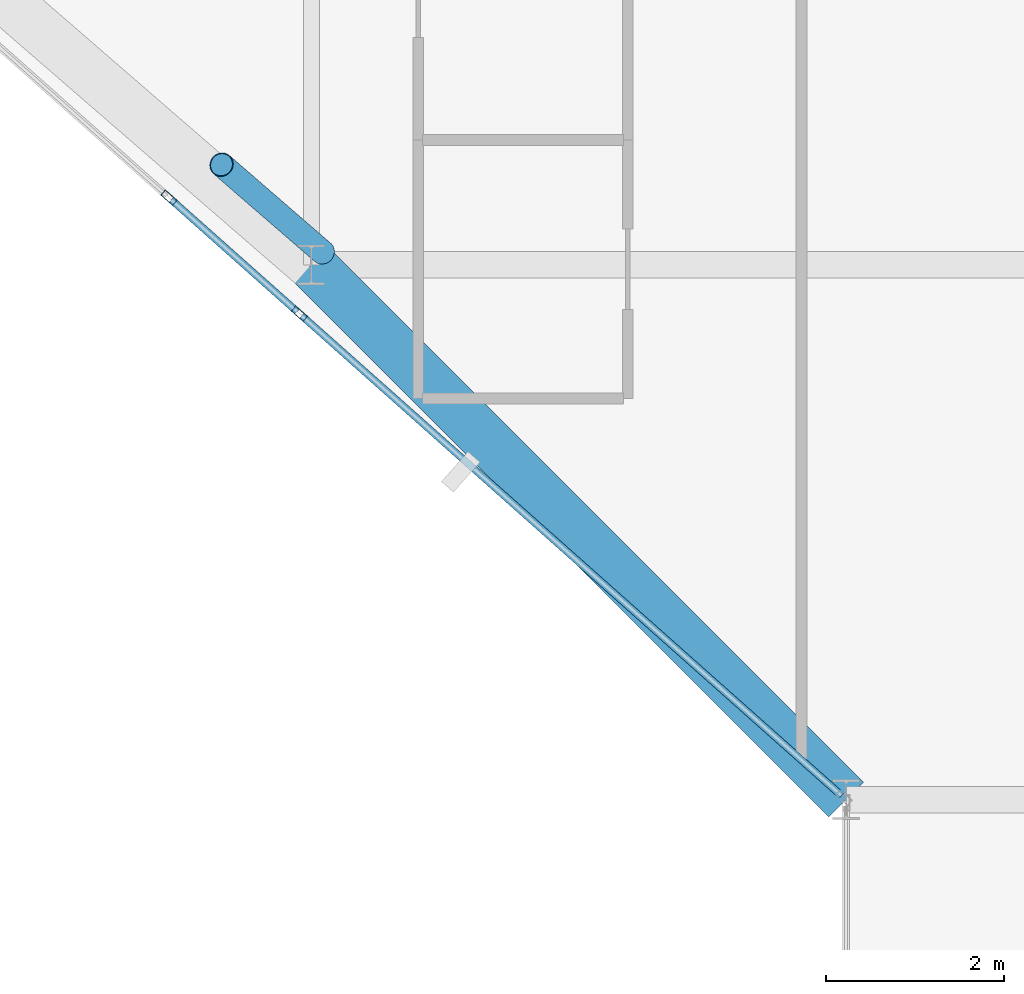
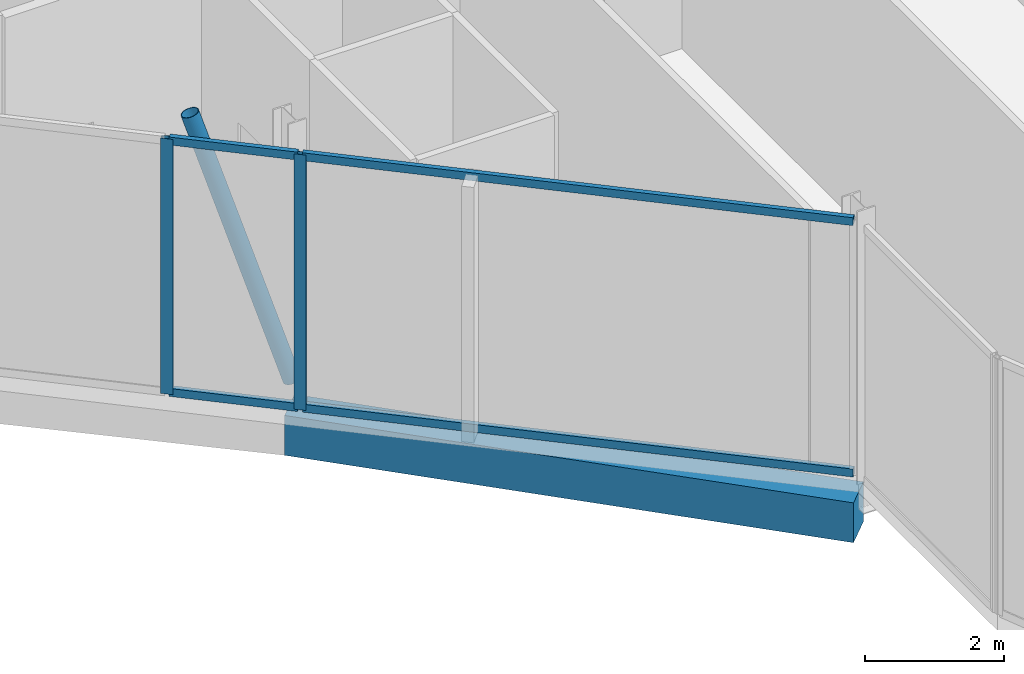
# One storey, part 4 of 29: 7 members, 1 beam, 2 elements without a shape of their own.
"""IFC4 building model written with IfcOpenShell, lengths in metres."""

from ifc_helpers import new_model, si_unit, direction, frame, origin, origin_2d, place, context, subcontext, project, spatial, rectangle, hollow_rectangle, hollow_circle, extrude, material, layer, layer_set, material_profile, profile_set, type_object, element, aggregate, save


model = new_model("IFC4")

# Units and contexts
model_context = context("Model", 3, precision=1e-05, world=origin(), true_north=direction((0.0, 1.0)))
body_context = subcontext(model_context, "Body", "Model", "MODEL_VIEW")
ifc_project = project(units=[si_unit("LENGTHUNIT", "METRE"), si_unit("AREAUNIT", "SQUARE_METRE"), si_unit("VOLUMEUNIT", "CUBIC_METRE"), si_unit("PLANEANGLEUNIT", "RADIAN"), si_unit("MASSUNIT", "GRAM", prefix="KILO")], contexts=[model_context])

# Site, building, storey
site_placement = place(None, origin())
site = spatial("IfcSite", under=ifc_project, at=site_placement, CompositionType="ELEMENT")
building_placement = place(site_placement, origin())
building = spatial("IfcBuilding", under=site, at=building_placement, Name="Keshet Zoharim Tower", CompositionType="ELEMENT")
storey_placement = place(building_placement, frame((0.0, 0.0, 218.0)))
storey = spatial("IfcBuildingStorey", under=building, at=storey_placement, Name="L54", CompositionType="ELEMENT", Elevation=218.0)

# Beam
ifc_material_1 = material(Name="Concrete C50/60", Category="concrete")
ifc_material_profile_1 = material_profile(ifc_material_1, rectangle(XDim=0.550048828125, YDim=0.699951171875, at=origin_2d()), Name="RC700x550")
ifc_profile_set_1 = profile_set([ifc_material_profile_1], Name="Concrete C50/60")
beam_type = type_object("IfcBeamType", Name="BM-SPN-700", PredefinedType="SPANDREL", material=ifc_profile_set_1)
beam_placement = place(storey_placement, frame((21.0, 6.699951171875, -0.669921875), z_axis=(-0.707106781187, 0.707106781187, 0.0), x_axis=(-0.707106781187, -0.707106781187, 0.0)))
element("IfcBeam", 1, at=beam_placement, inside=storey, type_object=beam_type, Name="L54 Perimeter Spandrel Beam 01", PredefinedType="SPANDREL", context=body_context, shape_type="SweptSolid", body=[
    extrude(rectangle(XDim=0.550048828125, YDim=0.699951171875, at=origin_2d()), origin(), (0.0, 0.0, 1.0), 8.4853515625),
])

# Curtain wall, member
ifc_material_2 = material(Name="Aluminium 6063-T6", Category="aluminium")
ifc_layer = layer(ifc_material_2, 0.14990234375)
ifc_layer_set = layer_set([ifc_layer], Name="Aluminium 6063-T6")
curtain_wall_type = type_object("IfcCurtainWallType", Name="CW-SYS-04", PredefinedType="NOTDEFINED", material=ifc_layer_set)
curtain_wall_1_placement = place(storey_placement, origin())
curtain_wall_1 = element("IfcCurtainWall", 2, at=curtain_wall_1_placement, inside=storey, type_object=curtain_wall_type, Name="L54 Unitised Curtain Wall 10", PredefinedType="NOTDEFINED")
ifc_material_profile_2 = material_profile(ifc_material_2, hollow_rectangle(XDim=0.080078125, YDim=0.179931640625, WallThickness=0.00439453125, at=origin_2d()), Name="MUL-80x180")
ifc_profile_set_2 = profile_set([ifc_material_profile_2], Name="Aluminium 6063-T6")
member_type_1 = type_object("IfcMemberType", Name="CWM-M18", PredefinedType="MULLION", material=ifc_profile_set_2)
member_1_placement = place(storey_placement, frame((14.866455078125, 12.15185546875, 0.0), z_axis=(0.0, 0.0, 1.0), x_axis=(-0.664357813677, -0.747414674332, 0.0)))
member_1 = element("IfcMember", 3, at=member_1_placement, type_object=member_type_1, Name="CW-04 mullion 2", PredefinedType="MULLION", context=body_context, shape_type="SweptSolid", body=[
    extrude(hollow_rectangle(XDim=0.080078125, YDim=0.179931640625, WallThickness=0.00439453125, at=origin_2d()), origin(), (0.0, 0.0, 1.0), 4.489990234375),
])

curtain_wall_2_placement = place(storey_placement, origin())
curtain_wall_2 = element("IfcCurtainWall", 4, at=curtain_wall_2_placement, inside=storey, type_object=curtain_wall_type, Name="L54 Unitised Curtain Wall 10 Part 2", PredefinedType="NOTDEFINED")
member_2_placement = place(storey_placement, frame((13.40234375, 13.453369140625, 0.0), z_axis=(0.0, 0.0, 1.0), x_axis=(-0.664386017885, -0.747389603379, 0.0)))
member_2 = element("IfcMember", 5, at=member_2_placement, type_object=member_type_1, Name="CW-04 mullion 2", PredefinedType="MULLION", context=body_context, shape_type="SweptSolid", body=[
    extrude(hollow_rectangle(XDim=0.080078125, YDim=0.179931640625, WallThickness=0.00439453125, at=origin_2d()), origin(), (0.0, 0.0, 1.0), 4.489990234375),
])

# Member
ifc_material_profile_3 = material_profile(ifc_material_2, hollow_rectangle(XDim=0.080078125, YDim=0.139892578125, WallThickness=0.00390625, at=origin_2d()), Name="TRN-80x140")
ifc_profile_set_3 = profile_set([ifc_material_profile_3], Name="Aluminium 6063-T6")
member_type_2 = type_object("IfcMemberType", Name="CWT-T14", PredefinedType="USERDEFINED", material=ifc_profile_set_3)
member_3_placement = place(storey_placement, frame((20.94775390625, 6.74658203125, 0.034912109375), z_axis=(-0.747427607701, 0.664343263115, 0.0), x_axis=(-0.664343263115, -0.747427607701, 0.0)))
member_3 = element("IfcMember", 6, at=member_3_placement, type_object=member_type_2, Name="CW-04 transom 1.1", ObjectType="TRANSOM", PredefinedType="USERDEFINED", context=body_context, shape_type="SweptSolid", body=[
    extrude(hollow_rectangle(XDim=0.080078125, YDim=0.139892578125, WallThickness=0.00390625, at=origin_2d()), origin(), (0.0, 0.0, 1.0), 8.101318359375),
])

member_4_placement = place(storey_placement, frame((20.94775390625, 6.74658203125, 4.455078125), z_axis=(-0.747427607701, 0.664343263115, 0.0), x_axis=(-0.664343263115, -0.747427607701, 0.0)))
member_4 = element("IfcMember", 7, at=member_4_placement, type_object=member_type_2, Name="CW-04 transom 1.2", ObjectType="TRANSOM", PredefinedType="USERDEFINED", context=body_context, shape_type="SweptSolid", body=[
    extrude(hollow_rectangle(XDim=0.080078125, YDim=0.139892578125, WallThickness=0.00390625, at=origin_2d()), origin(), (0.0, 0.0, 1.0), 8.101318359375),
])

aggregate(curtain_wall_1, [member_1, member_3, member_4])

member_5_placement = place(storey_placement, frame((14.84033203125, 12.17529296875, 0.034912109375), z_axis=(-0.747437841564, 0.664331749202, 0.0), x_axis=(-0.664331749202, -0.747437841564, 0.0)))
member_5 = element("IfcMember", 8, at=member_5_placement, type_object=member_type_2, Name="CW-04 transom 1.1", ObjectType="TRANSOM", PredefinedType="USERDEFINED", context=body_context, shape_type="SweptSolid", body=[
    extrude(hollow_rectangle(XDim=0.080078125, YDim=0.139892578125, WallThickness=0.00390625, at=origin_2d()), origin(), (0.0, 0.0, 1.0), 1.888916015625),
])

member_6_placement = place(storey_placement, frame((14.84033203125, 12.17529296875, 4.455078125), z_axis=(-0.747437841564, 0.664331749202, 0.0), x_axis=(-0.664331749202, -0.747437841564, 0.0)))
member_6 = element("IfcMember", 9, at=member_6_placement, type_object=member_type_2, Name="CW-04 transom 1.2", ObjectType="TRANSOM", PredefinedType="USERDEFINED", context=body_context, shape_type="SweptSolid", body=[
    extrude(hollow_rectangle(XDim=0.080078125, YDim=0.139892578125, WallThickness=0.00390625, at=origin_2d()), origin(), (0.0, 0.0, 1.0), 1.888916015625),
])

aggregate(curtain_wall_2, [member_2, member_5, member_6])

ifc_material_3 = material(Name="Steel S355", Category="steel")
ifc_material_profile_4 = material_profile(ifc_material_3, hollow_circle(Radius=0.136474609375, WallThickness=0.010009765625, at=origin_2d()), Name="CHS273x10")
ifc_profile_set_4 = profile_set([ifc_material_profile_4], Name="Steel S355")
member_type_3 = type_object("IfcMemberType", Name="MB-BR-C273", PredefinedType="BRACE", material=ifc_profile_set_4)
member_7_placement = place(storey_placement, frame((15.1259765625, 12.842041015625, 0.0), z_axis=(-0.239553512829, 0.207423945877, 0.94846687932), x_axis=(-0.654589683411, -0.755984355904, 0.0)))
element("IfcMember", 10, at=member_7_placement, inside=storey, type_object=member_type_3, Name="L54 Perimeter Tube Brace 01", PredefinedType="BRACE", context=body_context, shape_type="SweptSolid", body=[
    extrude(hollow_circle(Radius=0.136474609375, WallThickness=0.010009765625, at=origin_2d()), origin(), (0.0, 0.0, 1.0), 4.73388671875),
])

save(model, "model.ifc")
